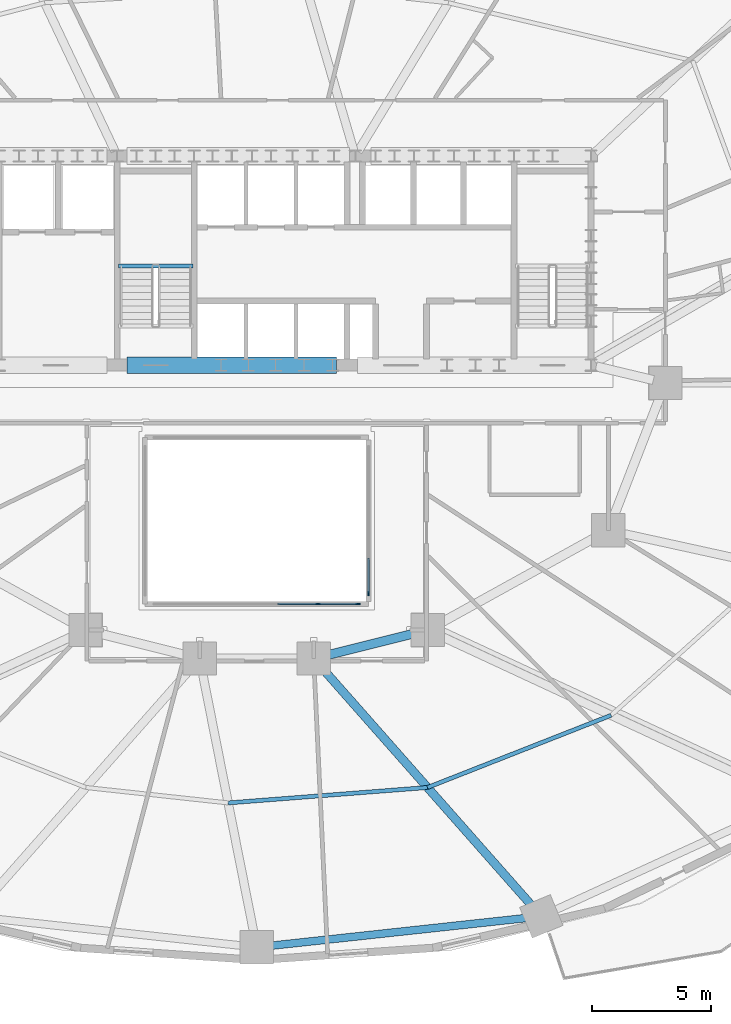
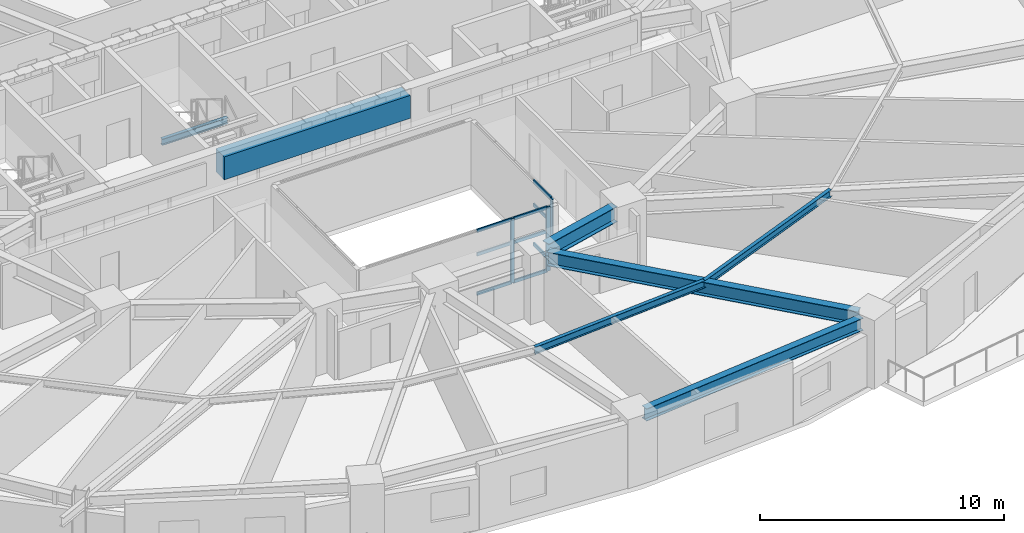
# One storey, part 5 of 17: 12 members, 7 beams, 2 elements without a shape of their own.
"""IFC4 building model written with IfcOpenShell, lengths in metres."""

from ifc_helpers import new_model, si_unit, direction, frame, origin, origin_2d, place, context, subcontext, project, spatial, rectangle, i_section, extrude, material, material_profile, profile_set, type_object, element, aggregate, save


model = new_model("IFC4")

# Units and contexts
model_context = context("Model", 3, precision=1e-05, world=origin(), true_north=direction((0.0, 1.0)))
body_context = subcontext(model_context, "Body", "Model", "MODEL_VIEW")
ifc_project = project(units=[si_unit("LENGTHUNIT", "METRE"), si_unit("AREAUNIT", "SQUARE_METRE"), si_unit("VOLUMEUNIT", "CUBIC_METRE"), si_unit("PLANEANGLEUNIT", "RADIAN"), si_unit("MASSUNIT", "GRAM", prefix="KILO")], contexts=[model_context])

# Site, building, storey
site_placement = place(None, origin())
site = spatial("IfcSite", under=ifc_project, at=site_placement, CompositionType="ELEMENT")
building_placement = place(site_placement, origin())
building = spatial("IfcBuilding", under=site, at=building_placement, Name="Haldorwick Loom Tower", CompositionType="ELEMENT")
storey_placement = place(building_placement, frame((0.0, 0.0, 34.35009765625)))
storey = spatial("IfcBuildingStorey", under=building, at=storey_placement, Name="L08", CompositionType="ELEMENT", Elevation=34.35009765625)

# Curtain wall, members
ifc_material_1 = material(Name="Thermally Broken Anodized Aluminium Curtain Wall Framing", Category="aluminium")
curtain_wall_type = type_object("IfcCurtainWallType", Name="ARC-CW-03", PredefinedType="NOTDEFINED", material=ifc_material_1)
curtain_wall_1_placement = place(storey_placement, origin())
curtain_wall_1 = element("IfcCurtainWall", 1, at=curtain_wall_1_placement, inside=storey, type_object=curtain_wall_type, Name="L08 Atrium Glazed Screen S", PredefinedType="NOTDEFINED")
ifc_material_profile_1 = material_profile(ifc_material_1, rectangle(XDim=0.06591796875, YDim=0.18505859375, at=origin_2d()), Name="ALU_MUL_66X185", Category="aluminium")
ifc_profile_set_1 = profile_set([ifc_material_profile_1], Name="Thermally Broken Anodized Aluminium Curtain Wall Framing")
member_type_1 = type_object("IfcMemberType", Name="ARC-CWM-03", PredefinedType="MULLION", material=ifc_profile_set_1)
member_1_placement = place(storey_placement, frame((40.26708984375, 16.699951171875, 0.0), z_axis=(0.0, 0.0, 1.0), x_axis=(0.0, -1.0, 0.0)))
member_1 = element("IfcMember", 2, at=member_1_placement, type_object=member_type_1, Name="CW-03 mullion 1", PredefinedType="MULLION", context=body_context, shape_type="SweptSolid", body=[
    extrude(rectangle(XDim=0.06591796875, YDim=0.18505859375, at=origin_2d()), origin(), (0.0, 0.0, 1.0), 3.2099609375),
])
member_2_placement = place(storey_placement, frame((38.580078125, 16.699951171875, 0.0), z_axis=(0.0, 0.0, 1.0), x_axis=(0.0, -1.0, 0.0)))
member_2 = element("IfcMember", 3, at=member_2_placement, type_object=member_type_1, Name="CW-03 mullion 2", PredefinedType="MULLION", context=body_context, shape_type="SweptSolid", body=[
    extrude(rectangle(XDim=0.06591796875, YDim=0.18505859375, at=origin_2d()), origin(), (0.0, 0.0, 1.0), 3.2099609375),
])

# Curtain wall, member
curtain_wall_2_placement = place(storey_placement, origin())
curtain_wall_2 = element("IfcCurtainWall", 4, at=curtain_wall_2_placement, inside=storey, type_object=curtain_wall_type, Name="L08 Atrium Glazed Screen E", PredefinedType="NOTDEFINED")
member_3_placement = place(storey_placement, frame((40.699951171875, 17.133056640625, 0.0), z_axis=(0.0, 0.0, 1.0), x_axis=(1.0, 0.0, 0.0)))
member_3 = element("IfcMember", 5, at=member_3_placement, type_object=member_type_1, Name="CW-03 mullion 5", PredefinedType="MULLION", context=body_context, shape_type="SweptSolid", body=[
    extrude(rectangle(XDim=0.06591796875, YDim=0.18505859375, at=origin_2d()), origin(), (0.0, 0.0, 1.0), 3.2099609375),
])

# Member
ifc_material_profile_2 = material_profile(ifc_material_1, rectangle(XDim=0.06591796875, YDim=0.1650390625, at=origin_2d()), Name="ALU_TRN_66X165", Category="aluminium")
ifc_profile_set_2 = profile_set([ifc_material_profile_2], Name="Thermally Broken Anodized Aluminium Curtain Wall Framing")
member_type_2 = type_object("IfcMemberType", Name="ARC-CWT-03", PredefinedType="USERDEFINED", material=ifc_profile_set_2)
member_4_placement = place(storey_placement, frame((40.23388671875, 16.699951171875, 0.032958984375), z_axis=(-1.0, 0.0, 0.0), x_axis=(0.0, -1.0, 0.0)))
member_4 = element("IfcMember", 6, at=member_4_placement, type_object=member_type_2, Name="CW-03 transom 1.1", ObjectType="TRANSOM", PredefinedType="USERDEFINED", context=body_context, shape_type="SweptSolid", body=[
    extrude(rectangle(XDim=0.06591796875, YDim=0.1650390625, at=origin_2d()), origin(), (0.0, 0.0, 1.0), 1.620849609375),
])

member_5_placement = place(storey_placement, frame((40.23388671875, 16.699951171875, 2.0), z_axis=(-1.0, 0.0, 0.0), x_axis=(0.0, -1.0, 0.0)))
member_5 = element("IfcMember", 7, at=member_5_placement, type_object=member_type_2, Name="CW-03 transom 1.2", ObjectType="TRANSOM", PredefinedType="USERDEFINED", context=body_context, shape_type="SweptSolid", body=[
    extrude(rectangle(XDim=0.06591796875, YDim=0.1650390625, at=origin_2d()), origin(), (0.0, 0.0, 1.0), 1.620849609375),
])

member_6_placement = place(storey_placement, frame((40.23388671875, 16.699951171875, 3.177001953125), z_axis=(-1.0, 0.0, 0.0), x_axis=(0.0, -1.0, 0.0)))
member_6 = element("IfcMember", 8, at=member_6_placement, type_object=member_type_2, Name="CW-03 transom 1.3", ObjectType="TRANSOM", PredefinedType="USERDEFINED", context=body_context, shape_type="SweptSolid", body=[
    extrude(rectangle(XDim=0.06591796875, YDim=0.1650390625, at=origin_2d()), origin(), (0.0, 0.0, 1.0), 1.620849609375),
])

member_7_placement = place(storey_placement, frame((38.547119140625, 16.699951171875, 0.032958984375), z_axis=(-1.0, 0.0, 0.0), x_axis=(0.0, -1.0, 0.0)))
member_7 = element("IfcMember", 9, at=member_7_placement, type_object=member_type_2, Name="CW-03 transom 2.1", ObjectType="TRANSOM", PredefinedType="USERDEFINED", context=body_context, shape_type="SweptSolid", body=[
    extrude(rectangle(XDim=0.06591796875, YDim=0.1650390625, at=origin_2d()), origin(), (0.0, 0.0, 1.0), 1.654052734375),
])

member_8_placement = place(storey_placement, frame((38.547119140625, 16.699951171875, 2.0), z_axis=(-1.0, 0.0, 0.0), x_axis=(0.0, -1.0, 0.0)))
member_8 = element("IfcMember", 10, at=member_8_placement, type_object=member_type_2, Name="CW-03 transom 2.2", ObjectType="TRANSOM", PredefinedType="USERDEFINED", context=body_context, shape_type="SweptSolid", body=[
    extrude(rectangle(XDim=0.06591796875, YDim=0.1650390625, at=origin_2d()), origin(), (0.0, 0.0, 1.0), 1.654052734375),
])

member_9_placement = place(storey_placement, frame((38.547119140625, 16.699951171875, 3.177001953125), z_axis=(-1.0, 0.0, 0.0), x_axis=(0.0, -1.0, 0.0)))
member_9 = element("IfcMember", 11, at=member_9_placement, type_object=member_type_2, Name="CW-03 transom 2.3", ObjectType="TRANSOM", PredefinedType="USERDEFINED", context=body_context, shape_type="SweptSolid", body=[
    extrude(rectangle(XDim=0.06591796875, YDim=0.1650390625, at=origin_2d()), origin(), (0.0, 0.0, 1.0), 1.654052734375),
])

aggregate(curtain_wall_1, [member_1, member_2, member_4, member_5, member_6, member_7, member_8, member_9])

member_10_placement = place(storey_placement, frame((40.699951171875, 18.616943359375, 0.032958984375), z_axis=(0.0, -1.0, 0.0), x_axis=(1.0, 0.0, 0.0)))
member_10 = element("IfcMember", 12, at=member_10_placement, type_object=member_type_2, Name="CW-03 transom 4.1", ObjectType="TRANSOM", PredefinedType="USERDEFINED", context=body_context, shape_type="SweptSolid", body=[
    extrude(rectangle(XDim=0.06591796875, YDim=0.1650390625, at=origin_2d()), origin(), (0.0, 0.0, 1.0), 1.450927734375),
])

member_11_placement = place(storey_placement, frame((40.699951171875, 18.616943359375, 2.0), z_axis=(0.0, -1.0, 0.0), x_axis=(1.0, 0.0, 0.0)))
member_11 = element("IfcMember", 13, at=member_11_placement, type_object=member_type_2, Name="CW-03 transom 4.2", ObjectType="TRANSOM", PredefinedType="USERDEFINED", context=body_context, shape_type="SweptSolid", body=[
    extrude(rectangle(XDim=0.06591796875, YDim=0.1650390625, at=origin_2d()), origin(), (0.0, 0.0, 1.0), 1.450927734375),
])

member_12_placement = place(storey_placement, frame((40.699951171875, 18.616943359375, 3.177001953125), z_axis=(0.0, -1.0, 0.0), x_axis=(1.0, 0.0, 0.0)))
member_12 = element("IfcMember", 14, at=member_12_placement, type_object=member_type_2, Name="CW-03 transom 4.3", ObjectType="TRANSOM", PredefinedType="USERDEFINED", context=body_context, shape_type="SweptSolid", body=[
    extrude(rectangle(XDim=0.06591796875, YDim=0.1650390625, at=origin_2d()), origin(), (0.0, 0.0, 1.0), 1.450927734375),
])

aggregate(curtain_wall_2, [member_3, member_10, member_11, member_12])

# Beams
ifc_material_2 = material(Name="Concrete C60 (60 MPa)", Category="concrete")
ifc_material_profile_3 = material_profile(ifc_material_2, rectangle(XDim=0.699951171875, YDim=1.14990234375, at=origin_2d()), Name="RC700X1150", Category="concrete")
ifc_profile_set_3 = profile_set([ifc_material_profile_3], Name="Concrete C60 (60 MPa)")
beam_type_1 = type_object("IfcBeamType", Name="STR-BM-CB1150", PredefinedType="LINTEL", material=ifc_profile_set_3)
beam_1_placement = place(storey_placement, frame((30.550048828125, 26.75, 2.635009765625), z_axis=(1.0, 0.0, 0.0), x_axis=(0.0, 1.0, 0.0)))
element("IfcBeam", 15, at=beam_1_placement, inside=storey, type_object=beam_type_1, Name="L08 Core Coupling Beam CB-S2", PredefinedType="LINTEL", context=body_context, shape_type="SweptSolid", body=[
    extrude(rectangle(XDim=0.699951171875, YDim=1.14990234375, at=origin_2d()), origin(), (0.0, 0.0, 1.0), 8.800048828125),
])
ifc_material_3 = material(Name="Steel CSA G40.21 350W", Category="steel")
ifc_material_profile_4 = material_profile(ifc_material_3, i_section(OverallWidth=0.172119140625, OverallDepth=0.35791015625, WebThickness=0.0078125, FlangeThickness=0.01318359375, at=origin_2d()), Name="W360X57", Category="steel")
ifc_profile_set_4 = profile_set([ifc_material_profile_4], Name="Steel CSA G40.21 350W")
beam_type_2 = type_object("IfcBeamType", Name="STR-BM-J360", PredefinedType="JOIST", material=ifc_profile_set_4)
beam_2_placement = place(storey_placement, frame((34.800048828125, 8.324951171875, 3.031005859375), z_axis=(0.99701252039, 0.077240107368, 0.0), x_axis=(-0.077240107368, 0.99701252039, 0.0)))
element("IfcBeam", 16, at=beam_2_placement, inside=storey, type_object=beam_type_2, Name="L08 Mid-Bay Secondary Joist 13", PredefinedType="JOIST", context=body_context, shape_type="SweptSolid", body=[
    extrude(i_section(OverallWidth=0.172119140625, OverallDepth=0.35791015625, WebThickness=0.0078125, FlangeThickness=0.01318359375, at=origin_2d()), origin(), (0.0, 0.0, 1.0), 8.4140625),
])
beam_3_placement = place(storey_placement, frame((43.18896484375, 8.974853515625, 3.031005859375), z_axis=(0.930584838237, 0.366076301941, 0.0), x_axis=(-0.366076301941, 0.930584838237, 0.0)))
element("IfcBeam", 17, at=beam_3_placement, inside=storey, type_object=beam_type_2, Name="L08 Mid-Bay Secondary Joist 14", PredefinedType="JOIST", context=body_context, shape_type="SweptSolid", body=[
    extrude(i_section(OverallWidth=0.172119140625, OverallDepth=0.35791015625, WebThickness=0.0078125, FlangeThickness=0.01318359375, at=origin_2d()), origin(), (0.0, 0.0, 1.0), 8.302490234375),
])
ifc_material_profile_5 = material_profile(ifc_material_3, i_section(OverallWidth=0.324951171875, OverallDepth=0.615966796875, WebThickness=0.013916015625, FlangeThickness=0.021484375, at=origin_2d()), Name="W610X174", Category="steel")
ifc_profile_set_5 = profile_set([ifc_material_profile_5], Name="Steel CSA G40.21 350W")
beam_type_3 = type_object("IfcBeamType", Name="STR-BM-SP610", PredefinedType="SPANDREL", material=ifc_profile_set_5)
beam_4_placement = place(storey_placement, frame((36.51708984375, 2.30615234375, 2.90185546875), z_axis=(0.994164438636, 0.107875247167, 0.0), x_axis=(-0.107875247167, 0.994164438636, 0.0)))
element("IfcBeam", 18, at=beam_4_placement, inside=storey, type_object=beam_type_3, Name="L08 Perimeter Spandrel 13", PredefinedType="SPANDREL", context=body_context, shape_type="SweptSolid", body=[
    extrude(i_section(OverallWidth=0.324951171875, OverallDepth=0.615966796875, WebThickness=0.013916015625, FlangeThickness=0.021484375, at=origin_2d()), origin(), (0.0, 0.0, 1.0), 11.008056640625),
])
ifc_material_profile_6 = material_profile(ifc_material_3, i_section(OverallWidth=0.166015625, OverallDepth=0.31298828125, WebThickness=0.006591796875, FlangeThickness=0.01123046875, at=origin_2d()), Name="W310X45", Category="steel")
ifc_profile_set_6 = profile_set([ifc_material_profile_6], Name="Steel CSA G40.21 350W")
beam_type_4 = type_object("IfcBeamType", Name="STR-BM-STRM", PredefinedType="BEAM", material=ifc_profile_set_6)
beam_5_placement = place(storey_placement, frame((30.18994140625, 30.919921875, 1.368408203125), z_axis=(1.0, 0.0, 0.0), x_axis=(0.0, 1.0, 0.0)))
element("IfcBeam", 19, at=beam_5_placement, inside=storey, type_object=beam_type_4, Name="L08 Stair ST-03 Half-Landing Trimmer 1", PredefinedType="BEAM", context=body_context, shape_type="SweptSolid", body=[
    extrude(i_section(OverallWidth=0.166015625, OverallDepth=0.31298828125, WebThickness=0.006591796875, FlangeThickness=0.01123046875, at=origin_2d()), origin(), (0.0, 0.0, 1.0), 3.1201171875),
])
ifc_material_profile_7 = material_profile(ifc_material_3, i_section(OverallWidth=0.35498046875, OverallDepth=0.695068359375, WebThickness=0.015380859375, FlangeThickness=0.02490234375, at=origin_2d()), Name="W690X217", Category="steel")
ifc_profile_set_7 = profile_set([ifc_material_profile_7], Name="Steel CSA G40.21 350W")
beam_type_5 = type_object("IfcBeamType", Name="STR-BM-W690", PredefinedType="BEAM", material=ifc_profile_set_7)
beam_6_placement = place(storey_placement, frame((38.744140625, 14.01025390625, 2.8623046875), z_axis=(0.661774304332, -0.749703121326, 0.0), x_axis=(0.749703121326, 0.661774304332, 0.0)))
element("IfcBeam", 20, at=beam_6_placement, inside=storey, type_object=beam_type_5, Name="L08 Radial Floor Girder 14", PredefinedType="BEAM", context=body_context, shape_type="SweptSolid", body=[
    extrude(i_section(OverallWidth=0.35498046875, OverallDepth=0.695068359375, WebThickness=0.015380859375, FlangeThickness=0.02490234375, at=origin_2d()), origin(), (0.0, 0.0, 1.0), 13.43310546875),
])
ifc_material_profile_8 = material_profile(ifc_material_3, i_section(OverallWidth=0.381103515625, OverallDepth=0.77294921875, WebThickness=0.0166015625, FlangeThickness=0.027587890625, at=origin_2d()), Name="W760X257", Category="steel")
ifc_profile_set_8 = profile_set([ifc_material_profile_8], Name="Steel CSA G40.21 350W")
beam_type_6 = type_object("IfcBeamType", Name="STR-BM-W760", PredefinedType="BEAM", material=ifc_profile_set_8)
beam_7_placement = place(storey_placement, frame((42.695556640625, 15.473876953125, 2.823486328125), z_axis=(-0.970142500145, -0.242535625036, 0.0), x_axis=(0.242535625036, -0.970142500145, 0.0)))
element("IfcBeam", 21, at=beam_7_placement, inside=storey, type_object=beam_type_6, Name="L08 Inner Ring Girder 4", PredefinedType="BEAM", context=body_context, shape_type="SweptSolid", body=[
    extrude(i_section(OverallWidth=0.381103515625, OverallDepth=0.77294921875, WebThickness=0.0166015625, FlangeThickness=0.027587890625, at=origin_2d()), origin(), (0.0, 0.0, 1.0), 3.90771484375),
])

save(model, "model.ifc")
